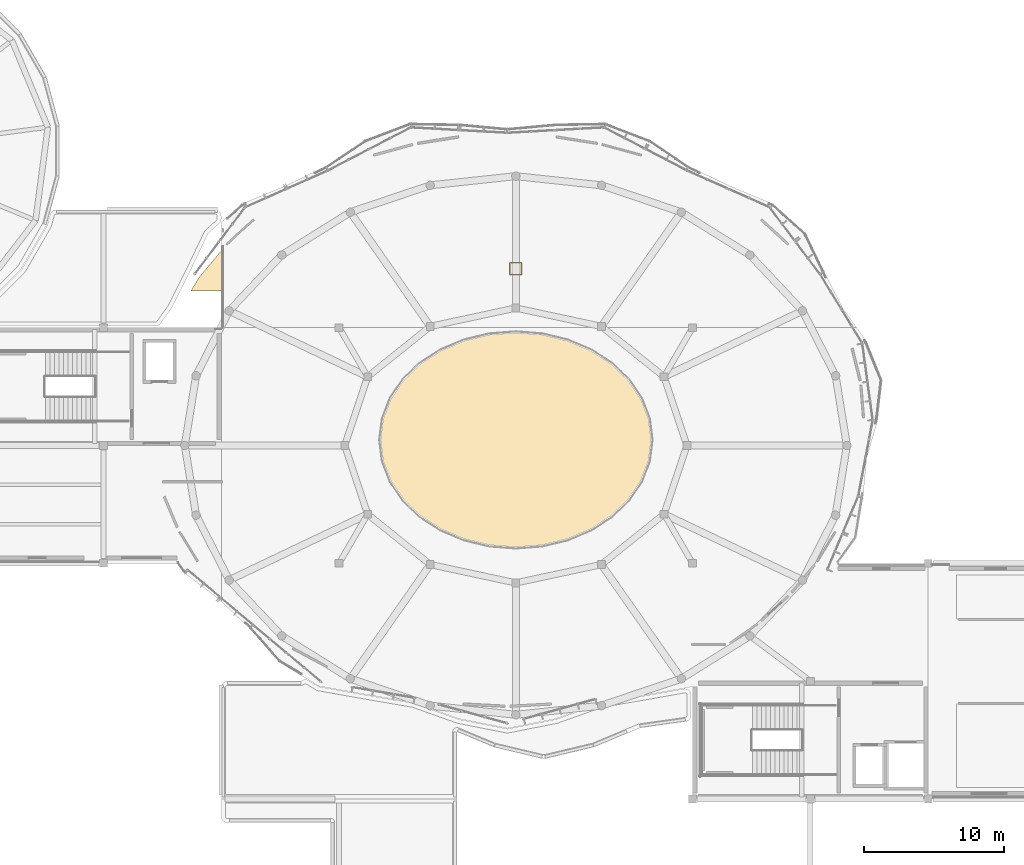
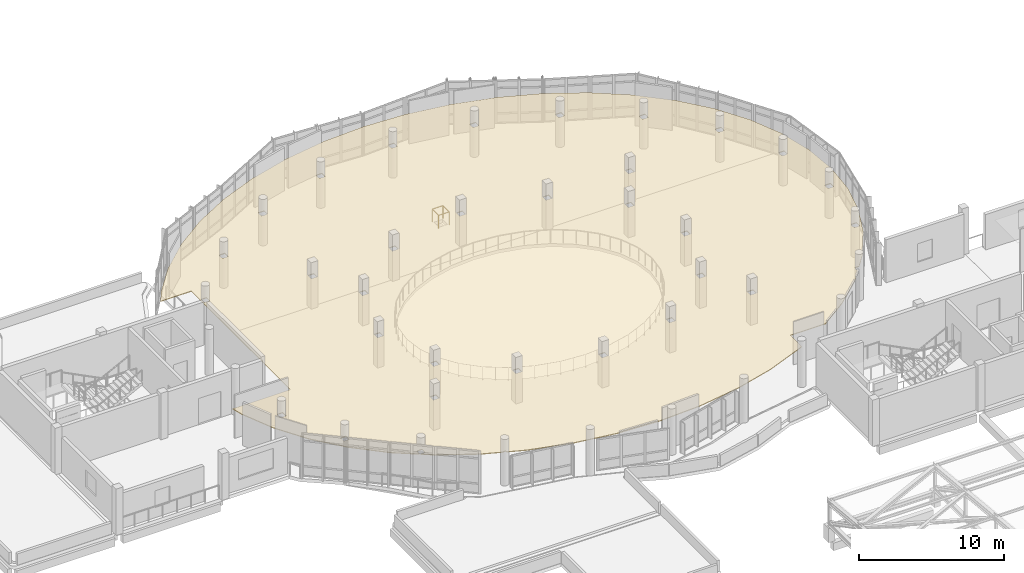
# One storey, part 70 of 74: 1 covering, 1 railing.
"""IFC4 building model written with IfcOpenShell, lengths in metres."""

from ifc_helpers import new_model, si_unit, derived_unit, direction, frame, origin, origin_2d, place, context, subcontext, project, spatial, polyline, circle, outline, extrude, material, layer, layer_set, type_object, element, save


model = new_model("IFC4")

# Units and contexts
model_context = context("Model", 3, precision=1e-05, world=origin(), true_north=direction((0.0, 1.0)))
body_context = subcontext(model_context, "Body", "Model", "MODEL_VIEW")
ifc_project = project(units=[si_unit("LENGTHUNIT", "METRE"), si_unit("AREAUNIT", "SQUARE_METRE"), si_unit("VOLUMEUNIT", "CUBIC_METRE"), si_unit("PLANEANGLEUNIT", "RADIAN"), si_unit("MASSUNIT", "GRAM", prefix="KILO"), derived_unit("THERMALTRANSMITTANCEUNIT", [(si_unit("POWERUNIT", "WATT"), 1), (si_unit("LENGTHUNIT", "METRE"), -2), (si_unit("THERMODYNAMICTEMPERATUREUNIT", "KELVIN"), -1)])], contexts=[model_context])

# Site, building, storey
site_placement = place(None, origin())
site = spatial("IfcSite", under=ifc_project, at=site_placement, CompositionType="ELEMENT")
building_placement = place(site_placement, origin())
building = spatial("IfcBuilding", under=site, at=building_placement, Name="Elbkamm Science Centre", CompositionType="ELEMENT")
storey_placement = place(building_placement, frame((0.0, 0.0, 14.39990234375)))
storey = spatial("IfcBuildingStorey", under=building, at=storey_placement, Name="L03", CompositionType="ELEMENT", Elevation=14.39990234375)

# Covering
ifc_material_1 = material(Name="Micro-perforated acoustic timber ceiling panel", Category="wood")
ifc_layer = layer(ifc_material_1, 0.06005859375)
ifc_layer_set = layer_set([ifc_layer], Name="Micro-perforated acoustic timber ceiling panel")
covering_type = type_object("IfcCoveringType", Name="COV-CEIL-BAFFLE-60", PredefinedType="CEILING", material=ifc_layer_set)
covering_placement = place(storey_placement, frame((0.0, 0.0, 2.47021484375)))
element("IfcCovering", 1, at=covering_placement, inside=storey, type_object=covering_type, Name="L03 Wave and Physics Exhibition Hall Acoustic Ceiling", PredefinedType="CEILING", context=body_context, shape_type="SweptSolid", body=[
    extrude(outline(polyline([(42.2666015625, 78.211181640625), (42.265380859375, 78.212646484375), (42.26416015625, 78.214111328125), (42.2626953125, 78.215576171875), (42.260986328125, 78.216552734375), (42.259521484375, 78.217529296875), (42.2578125, 78.218505859375), (42.255859375, 78.218994140625), (42.25390625, 78.219482421875), (42.251953125, 78.219970703125), (42.25, 78.219970703125), (39.82470703125, 78.219970703125), (40.419189453125, 79.188232421875), (42.26318359375, 81.40478515625), (44.4521484375, 83.409423828125), (46.947998046875, 85.16748046875), (49.70849609375, 86.648681640625), (52.68603515625, 87.828125), (55.830078125, 88.685302734375), (59.086669921875, 89.20556640625), (62.39990234375, 89.3798828125), (65.71337890625, 89.20556640625), (68.9697265625, 88.685302734375), (72.114013671875, 87.828125), (75.091552734375, 86.648681640625), (77.85205078125, 85.16748046875), (80.347900390625, 83.409423828125), (82.53662109375, 81.40478515625), (84.380615234375, 79.188232421875), (85.8486328125, 76.797607421875), (86.91552734375, 74.273681640625), (87.56298828125, 71.659423828125), (87.77978515625, 69.0), (87.56298828125, 66.340576171875), (86.91552734375, 63.726318359375), (85.8486328125, 61.202392578125), (84.380615234375, 58.811767578125), (83.5556640625, 57.820068359375), (83.218017578125, 57.820068359375), (83.218017578125, 57.4140625), (82.53662109375, 56.59521484375), (80.347900390625, 54.590576171875), (78.117919921875, 53.02001953125), (75.35009765625, 53.02001953125), (75.347900390625, 53.02001953125), (75.34619140625, 53.01953125), (75.34423828125, 53.01904296875), (75.34228515625, 53.0185546875), (75.340576171875, 53.017578125), (75.3388671875, 53.0166015625), (75.33740234375, 53.015380859375), (75.3359375, 53.01416015625), (75.33447265625, 53.0126953125), (75.33349609375, 53.010986328125), (75.33251953125, 53.009521484375), (75.33154296875, 53.0078125), (75.330810546875, 53.005859375), (75.330322265625, 53.00390625), (75.330078125, 53.001953125), (75.330078125, 53.0), (75.330078125, 51.479248046875), (75.091552734375, 51.351318359375), (72.114013671875, 50.171875), (68.9697265625, 49.314697265625), (65.71337890625, 48.79443359375), (62.39990234375, 48.6201171875), (59.086669921875, 48.79443359375), (55.830078125, 49.314697265625), (52.68603515625, 50.171875), (51.419921875, 50.67333984375), (51.419921875, 50.7919921875), (51.12060546875, 50.7919921875), (49.70849609375, 51.351318359375), (46.947998046875, 52.83251953125), (46.13671875, 53.404052734375), (46.531982421875, 53.404052734375), (46.531982421875, 53.843994140625), (46.092041015625, 53.843994140625), (46.092041015625, 53.435546875), (44.4521484375, 54.590576171875), (42.26318359375, 56.59521484375), (40.419189453125, 58.811767578125), (38.951416015625, 61.202392578125), (37.884521484375, 63.726318359375), (37.673095703125, 64.580078125), (42.25, 64.580078125), (42.251953125, 64.580078125), (42.25390625, 64.580322265625), (42.255859375, 64.580810546875), (42.2578125, 64.58154296875), (42.259521484375, 64.58251953125), (42.260986328125, 64.58349609375), (42.2626953125, 64.58447265625), (42.26416015625, 64.5859375), (42.265380859375, 64.58740234375), (42.2666015625, 64.5888671875), (42.267578125, 64.590576171875), (42.2685546875, 64.59228515625), (42.26904296875, 64.59423828125), (42.26953125, 64.59619140625), (42.27001953125, 64.597900390625), (42.27001953125, 64.60009765625), (42.27001953125, 78.199951171875), (42.27001953125, 78.201904296875), (42.26953125, 78.203857421875), (42.26904296875, 78.205810546875), (42.2685546875, 78.207763671875), (42.267578125, 78.20947265625), (42.2666015625, 78.211181640625)]), holes=[polyline([(86.820068359375, 66.97998046875), (86.820068359375, 67.419921875), (86.3798828125, 67.419921875), (86.3798828125, 66.97998046875), (86.820068359375, 66.97998046875)]), polyline([(85.575927734375, 71.948974609375), (86.01611328125, 71.948974609375), (86.01611328125, 72.388916015625), (85.575927734375, 72.388916015625), (85.575927734375, 71.948974609375)]), polyline([(83.218017578125, 77.02001953125), (83.218017578125, 76.580078125), (83.657958984375, 76.580078125), (83.657958984375, 77.02001953125), (83.218017578125, 77.02001953125)]), polyline([(79.907958984375, 80.99609375), (79.468017578125, 80.99609375), (79.468017578125, 80.555908203125), (79.907958984375, 80.555908203125), (79.907958984375, 80.99609375)]), polyline([(75.02001953125, 83.60791015625), (75.02001953125, 84.048095703125), (74.580078125, 84.048095703125), (74.580078125, 83.60791015625), (75.02001953125, 83.60791015625)]), polyline([(68.887939453125, 85.52587890625), (69.327880859375, 85.52587890625), (69.327880859375, 85.966064453125), (68.887939453125, 85.966064453125), (68.887939453125, 85.52587890625)]), polyline([(62.780029296875, 86.6201171875), (62.780029296875, 86.179931640625), (63.219970703125, 86.179931640625), (63.219970703125, 86.6201171875), (62.780029296875, 86.6201171875)]), polyline([(57.112060546875, 85.966064453125), (56.672119140625, 85.966064453125), (56.672119140625, 85.52587890625), (57.112060546875, 85.52587890625), (57.112060546875, 85.966064453125)]), polyline([(51.419921875, 83.60791015625), (51.419921875, 84.048095703125), (50.97998046875, 84.048095703125), (50.97998046875, 83.60791015625), (51.419921875, 83.60791015625)]), polyline([(46.092041015625, 80.555908203125), (46.531982421875, 80.555908203125), (46.531982421875, 80.99609375), (46.092041015625, 80.99609375), (46.092041015625, 80.555908203125)]), polyline([(42.342041015625, 77.02001953125), (42.342041015625, 76.580078125), (42.781982421875, 76.580078125), (42.781982421875, 77.02001953125), (42.342041015625, 77.02001953125)]), polyline([(39.98388671875, 62.010986328125), (40.424072265625, 62.010986328125), (40.424072265625, 62.450927734375), (39.98388671875, 62.450927734375), (39.98388671875, 62.010986328125)]), polyline([(42.342041015625, 57.820068359375), (42.342041015625, 57.3798828125), (42.781982421875, 57.3798828125), (42.781982421875, 57.820068359375), (42.342041015625, 57.820068359375)]), polyline([(86.01611328125, 62.450927734375), (85.575927734375, 62.450927734375), (85.575927734375, 62.010986328125), (86.01611328125, 62.010986328125), (86.01611328125, 62.450927734375)]), polyline([(75.419921875, 66.97998046875), (75.419921875, 67.419921875), (74.97998046875, 67.419921875), (74.97998046875, 66.97998046875), (75.419921875, 66.97998046875)]), polyline([(73.345947265625, 71.8798828125), (73.785888671875, 71.8798828125), (73.785888671875, 72.320068359375), (73.345947265625, 72.320068359375), (73.345947265625, 71.8798828125)]), polyline([(68.8798828125, 75.906982421875), (68.8798828125, 75.467041015625), (69.320068359375, 75.467041015625), (69.320068359375, 75.906982421875), (68.8798828125, 75.906982421875)]), polyline([(63.219970703125, 77.219970703125), (62.780029296875, 77.219970703125), (62.780029296875, 76.780029296875), (63.219970703125, 76.780029296875), (63.219970703125, 77.219970703125)]), polyline([(57.1201171875, 75.467041015625), (57.1201171875, 75.906982421875), (56.679931640625, 75.906982421875), (56.679931640625, 75.467041015625), (57.1201171875, 75.467041015625)]), polyline([(52.214111328125, 71.8798828125), (52.654052734375, 71.8798828125), (52.654052734375, 72.320068359375), (52.214111328125, 72.320068359375), (52.214111328125, 71.8798828125)]), polyline([(50.580078125, 67.419921875), (50.580078125, 66.97998046875), (51.02001953125, 66.97998046875), (51.02001953125, 67.419921875), (50.580078125, 67.419921875)]), polyline([(52.654052734375, 62.52001953125), (52.214111328125, 62.52001953125), (52.214111328125, 62.080078125), (52.654052734375, 62.080078125), (52.654052734375, 62.52001953125)]), polyline([(57.1201171875, 58.492919921875), (57.1201171875, 58.93310546875), (56.679931640625, 58.93310546875), (56.679931640625, 58.492919921875), (57.1201171875, 58.492919921875)]), polyline([(62.780029296875, 57.179931640625), (63.219970703125, 57.179931640625), (63.219970703125, 57.6201171875), (62.780029296875, 57.6201171875), (62.780029296875, 57.179931640625)]), polyline([(68.8798828125, 58.93310546875), (68.8798828125, 58.492919921875), (69.320068359375, 58.492919921875), (69.320068359375, 58.93310546875), (68.8798828125, 58.93310546875)]), polyline([(73.785888671875, 62.52001953125), (73.345947265625, 62.52001953125), (73.345947265625, 62.080078125), (73.785888671875, 62.080078125), (73.785888671875, 62.52001953125)]), polyline([(50.6201171875, 59.02001953125), (50.179931640625, 59.02001953125), (50.179931640625, 58.580078125), (50.6201171875, 58.580078125), (50.6201171875, 59.02001953125)]), polyline([(50.6201171875, 75.3798828125), (50.6201171875, 75.820068359375), (50.179931640625, 75.820068359375), (50.179931640625, 75.3798828125), (50.6201171875, 75.3798828125)]), polyline([(75.3798828125, 59.02001953125), (75.3798828125, 58.580078125), (75.820068359375, 58.580078125), (75.820068359375, 59.02001953125), (75.3798828125, 59.02001953125)]), polyline([(75.820068359375, 75.820068359375), (75.3798828125, 75.820068359375), (75.3798828125, 75.3798828125), (75.820068359375, 75.3798828125), (75.820068359375, 75.820068359375)])]), origin(), (0.0, 0.0, 1.0), 0.059814453125),
])

# Railing
ifc_material_2 = material(Name="Stainless steel EN 1.4401", Category="steel")
railing_type = type_object("IfcRailingType", Name="RAIL-GUARD-1100", PredefinedType="GUARDRAIL", material=ifc_material_2)
railing_placement = place(storey_placement, frame((62.570068359375, 79.3701171875, 0.0)))
element("IfcRailing", 2, at=railing_placement, inside=storey, type_object=railing_type, Name="L03 Service Riser Opening Guardrail 020", PredefinedType="GUARDRAIL", context=body_context, shape_type="SweptSolid", body=[
    extrude(circle(Radius=0.02392578125, at=origin_2d()), frame((0.0, 0.0, 1.078125), z_axis=(1.0, 0.0, 0.0), x_axis=(0.0, 1.0, 0.0)), (0.0, 0.0, 1.0), 0.829833984375),
    extrude(circle(Radius=0.02392578125, at=origin_2d()), frame((0.85986328125, 0.030029296875, 1.078125), z_axis=(0.0, 1.0, 0.0), x_axis=(-1.0, 0.0, 0.0)), (0.0, 0.0, 1.0), 0.7998046875),
    extrude(circle(Radius=0.02392578125, at=origin_2d()), frame((0.829833984375, 0.85986328125, 1.078125), z_axis=(-1.0, 0.0, 0.0), x_axis=(0.0, -1.0, 0.0)), (0.0, 0.0, 1.0), 0.7998046875),
    extrude(circle(Radius=0.02392578125, at=origin_2d()), frame((0.0, 0.829833984375, 1.078125), z_axis=(0.0, -1.0, 0.0), x_axis=(1.0, 0.0, 0.0)), (0.0, 0.0, 1.0), 0.829833984375),
    extrude(circle(Radius=0.02001953125, at=origin_2d()), origin(), (0.0, 0.0, 1.0), 1.048095703125),
    extrude(circle(Radius=0.02001953125, at=origin_2d()), frame((0.85986328125, 0.0, 0.0)), (0.0, 0.0, 1.0), 1.048095703125),
    extrude(circle(Radius=0.02001953125, at=origin_2d()), frame((0.85986328125, 0.85986328125, 0.0)), (0.0, 0.0, 1.0), 1.048095703125),
    extrude(circle(Radius=0.02001953125, at=origin_2d()), frame((0.0, 0.85986328125, 0.0)), (0.0, 0.0, 1.0), 1.048095703125),
])

save(model, "model.ifc")
